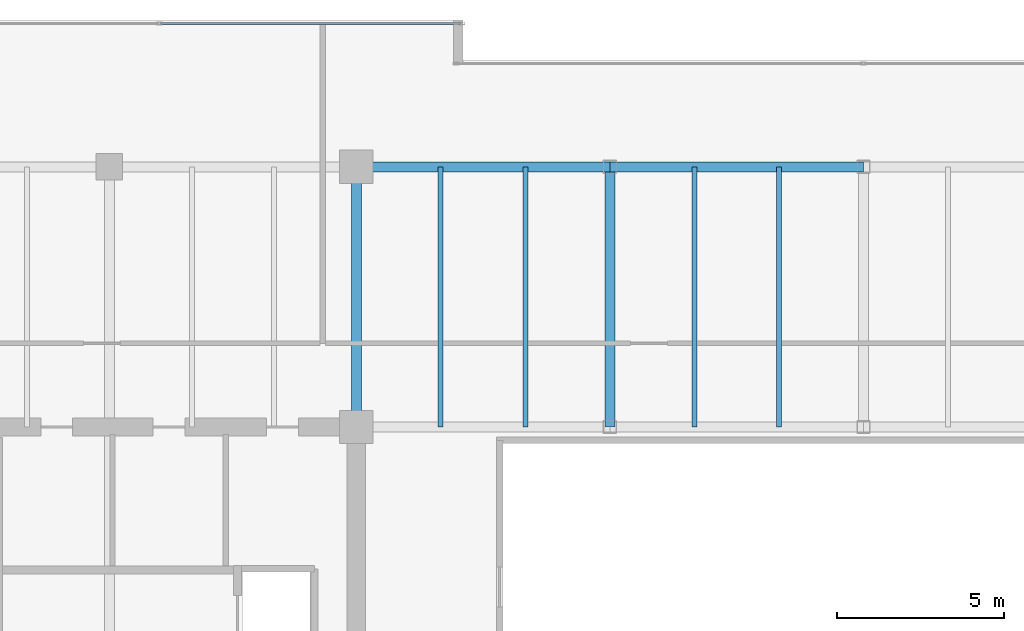
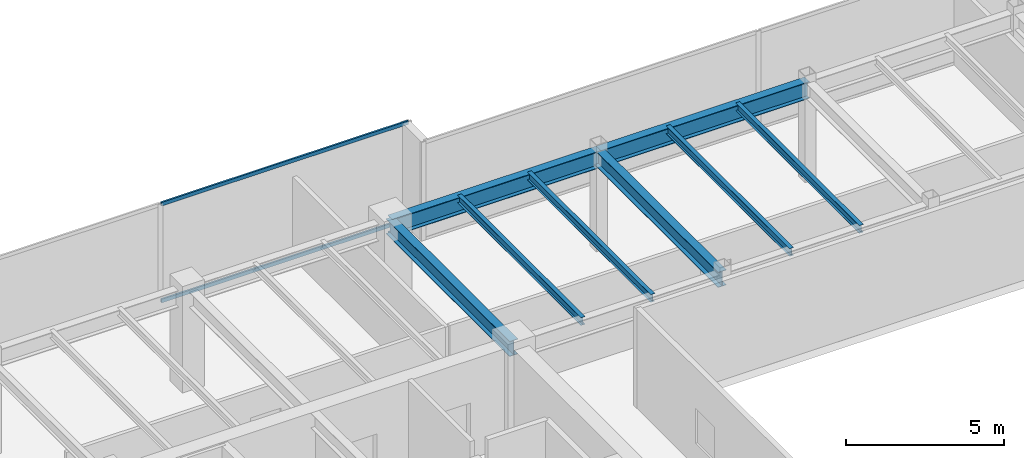
# One storey, part 16 of 33: 8 beams, 2 members, 1 element without a shape of its own.
"""IFC4 building model written with IfcOpenShell, lengths in metres."""

from ifc_helpers import new_model, si_unit, direction, frame, origin, origin_2d, place, context, subcontext, project, spatial, hollow_rectangle, i_section, extrude, source, transform, mapped, material, layer, layer_set, material_profile, profile_set, type_object, type_shapes, element, aggregate, save


model = new_model("IFC4")

# Units and contexts
model_context = context("Model", 3, precision=1e-05, world=origin(), true_north=direction((0.0, 1.0)))
body_context = subcontext(model_context, "Body", "Model", "MODEL_VIEW")
ifc_project = project(units=[si_unit("LENGTHUNIT", "METRE"), si_unit("AREAUNIT", "SQUARE_METRE"), si_unit("VOLUMEUNIT", "CUBIC_METRE"), si_unit("PLANEANGLEUNIT", "RADIAN"), si_unit("MASSUNIT", "GRAM", prefix="KILO")], contexts=[model_context])

# Site, building, storey
site_placement = place(None, origin())
site = spatial("IfcSite", under=ifc_project, at=site_placement, CompositionType="ELEMENT")
building_placement = place(site_placement, origin())
building = spatial("IfcBuilding", under=site, at=building_placement, Name="Haelvirn Gate Laboratories", CompositionType="ELEMENT")
storey_placement = place(building_placement, frame((0.0, 0.0, 238.300048828125)))
storey = spatial("IfcBuildingStorey", under=building, at=storey_placement, Name="L57", CompositionType="ELEMENT", Elevation=238.300048828125)

# Beams
ifc_material_1 = material(Name="Steel SM355", Category="steel")
ifc_material_profile_1 = material_profile(ifc_material_1, i_section(OverallWidth=0.14990234375, OverallDepth=0.300048828125, WebThickness=0.006591796875, FlangeThickness=0.009033203125, at=origin_2d()), Name="H-300x150x6.5x9")
ifc_profile_set_1 = profile_set([ifc_material_profile_1], Name="Steel SM355")
beam_type_1 = type_object("IfcBeamType", Name="BM-J-300", PredefinedType="JOIST", material=ifc_profile_set_1)
shared_shape_1 = source(origin(), body_context, "Body", "SweptSolid", [
    extrude(i_section(OverallWidth=0.14990234375, OverallDepth=0.300048828125, WebThickness=0.006591796875, FlangeThickness=0.009033203125, at=origin_2d()), origin(), (0.0, 0.0, 1.0), 7.800048828125),
])
type_shapes(beam_type_1, [shared_shape_1])
for number, where, z_axis, x_axis, name in (
    (1, (24.72998046875, 33.800048828125, 3.64990234375), (0.0, 1.0, 0.0), (-1.0, 0.0, 0.0), "L57 Composite Lab Joist North X24.73"),
    (2, (27.27001953125, 33.800048828125, 3.64990234375), (0.0, 1.0, 0.0), (-1.0, 0.0, 0.0), "L57 Composite Lab Joist North X27.27"),
    (3, (32.330078125, 33.800048828125, 3.64990234375), (0.0, 1.0, 0.0), (-1.0, 0.0, 0.0), "L57 Composite Lab Joist North X32.33"),
    (4, (34.8701171875, 33.800048828125, 3.64990234375), (0.0, 1.0, 0.0), (-1.0, 0.0, 0.0), "L57 Composite Lab Joist North X34.87"),
):
    element("IfcBeam", number, at=place(storey_placement, frame(where, z_axis=z_axis, x_axis=x_axis)), inside=storey, type_object=beam_type_1, Name=name, PredefinedType="JOIST", context=body_context, shape_type="MappedRepresentation", body=[
        mapped(shared_shape_1, transform((0.0, 0.0, 0.0), scale=1.0)),
    ])
ifc_material_profile_2 = material_profile(ifc_material_1, i_section(OverallWidth=0.300048828125, OverallDepth=0.587890625, WebThickness=0.011962890625, FlangeThickness=0.02001953125, at=origin_2d()), Name="H-588x300x12x20")
ifc_profile_set_2 = profile_set([ifc_material_profile_2], Name="Steel SM355")
beam_type_2 = type_object("IfcBeamType", Name="BM-G-588", PredefinedType="BEAM", material=ifc_profile_set_2)
shared_shape_2 = source(origin(), body_context, "Body", "SweptSolid", [
    extrude(i_section(OverallWidth=0.300048828125, OverallDepth=0.587890625, WebThickness=0.011962890625, FlangeThickness=0.02001953125, at=origin_2d()), origin(), (0.0, 0.0, 1.0), 7.800048828125),
])
type_shapes(beam_type_2, [shared_shape_2])
for number, where, z_axis, x_axis, name in (
    (5, (22.199951171875, 33.800048828125, 3.505859375), (0.0, 1.0, 0.0), (-1.0, 0.0, 0.0), "L57 Frame Girder X22.2 (33.8-41.6)"),
    (6, (29.800048828125, 33.800048828125, 3.505859375), (0.0, 1.0, 0.0), (-1.0, 0.0, 0.0), "L57 Frame Girder X29.8 (33.8-41.6)"),
):
    element("IfcBeam", number, at=place(storey_placement, frame(where, z_axis=z_axis, x_axis=x_axis)), inside=storey, type_object=beam_type_2, Name=name, PredefinedType="BEAM", context=body_context, shape_type="MappedRepresentation", body=[
        mapped(shared_shape_2, transform((0.0, 0.0, 0.0), scale=1.0)),
    ])
ifc_material_profile_3 = material_profile(ifc_material_1, i_section(OverallWidth=0.300048828125, OverallDepth=0.64990234375, WebThickness=0.012939453125, FlangeThickness=0.02197265625, at=origin_2d()), Name="H-650x300x13x22")
ifc_profile_set_3 = profile_set([ifc_material_profile_3], Name="Steel SM355")
beam_type_3 = type_object("IfcBeamType", Name="BM-G-650", PredefinedType="BEAM", material=ifc_profile_set_3)
shared_shape_3 = source(origin(), body_context, "Body", "SweptSolid", [
    extrude(i_section(OverallWidth=0.300048828125, OverallDepth=0.64990234375, WebThickness=0.012939453125, FlangeThickness=0.02197265625, at=origin_2d()), origin(), (0.0, 0.0, 1.0), 7.60009765625),
])
beam_1_placement = place(storey_placement, frame((22.199951171875, 41.60009765625, 3.474853515625), z_axis=(1.0, 0.0, 0.0), x_axis=(0.0, 1.0, 0.0)))
element("IfcBeam", 7, at=beam_1_placement, inside=storey, type_object=beam_type_3, Name="L57 Primary Girder Y41.6 (22.2-29.8)", PredefinedType="BEAM", context=body_context, shape_type="MappedRepresentation", body=[
    mapped(shared_shape_3, transform((0.0, 0.0, 0.0), scale=1.0)),
])
shared_shape_4 = source(origin(), body_context, "Body", "SweptSolid", [
    extrude(i_section(OverallWidth=0.300048828125, OverallDepth=0.64990234375, WebThickness=0.012939453125, FlangeThickness=0.02197265625, at=origin_2d()), origin(), (0.0, 0.0, 1.0), 7.599853515625),
])
type_shapes(beam_type_3, [shared_shape_3, shared_shape_4])
beam_2_placement = place(storey_placement, frame((29.800048828125, 41.60009765625, 3.474853515625), z_axis=(1.0, 0.0, 0.0), x_axis=(0.0, 1.0, 0.0)))
element("IfcBeam", 8, at=beam_2_placement, inside=storey, type_object=beam_type_3, Name="L57 Primary Girder Y41.6 (29.8-37.4)", PredefinedType="BEAM", context=body_context, shape_type="MappedRepresentation", body=[
    mapped(shared_shape_4, transform((0.0, 0.0, 0.0), scale=1.0)),
])

# Curtain wall, members
ifc_material_2 = material(Name="Anodised bronze unitised aluminium & triple low-E glass", Category="aluminium")
ifc_layer = layer(ifc_material_2, 0.176025390625, Name="CW-SYS-4")
ifc_layer_set = layer_set([ifc_layer], Name="Anodised bronze unitised aluminium & triple low-E glass")
curtain_wall_type = type_object("IfcCurtainWallType", Name="CW-SYS-4", PredefinedType="NOTDEFINED", material=ifc_layer_set)
curtain_wall_placement = place(storey_placement, origin())
curtain_wall = element("IfcCurtainWall", 9, at=curtain_wall_placement, inside=storey, type_object=curtain_wall_type, Name="L57 Unitised Curtain Wall CW-L57-P0-E14-1", PredefinedType="NOTDEFINED")
ifc_material_3 = material(Name="Extruded aluminium 6063-T6 (anodised bronze)", Category="aluminium")
ifc_material_profile_4 = material_profile(ifc_material_3, hollow_rectangle(XDim=0.06494140625, YDim=0.139892578125, WallThickness=0.00390625, at=origin_2d()), Name="CWT-140x65x4")
ifc_profile_set_4 = profile_set([ifc_material_profile_4], Name="Extruded aluminium 6063-T6 (anodised bronze)")
member_type = type_object("IfcMemberType", Name="CWT-T140", PredefinedType="USERDEFINED", material=ifc_profile_set_4)
shared_shape_5 = source(origin(), body_context, "Body", "SweptSolid", [
    extrude(hollow_rectangle(XDim=0.06494140625, YDim=0.139892578125, WallThickness=0.00390625, at=origin_2d()), origin(), (0.0, 0.0, 1.0), 8.9951171875),
])
type_shapes(member_type, [shared_shape_5])
member_1_placement = place(storey_placement, frame((16.3349609375, 45.89990234375, 0.032470703125), z_axis=(1.0, 0.0, 0.0), x_axis=(0.0, 1.0, 0.0)))
member_1 = element("IfcMember", 10, at=member_1_placement, type_object=member_type, Name="CW4 transom 2.1", ObjectType="TRANSOM", PredefinedType="USERDEFINED", context=body_context, shape_type="MappedRepresentation", body=[
    mapped(shared_shape_5, transform((0.0, 0.0, 0.0), scale=1.0)),
])
member_2_placement = place(storey_placement, frame((16.3349609375, 45.89990234375, 3.767333984375), z_axis=(1.0, 0.0, 0.0), x_axis=(0.0, 1.0, 0.0)))
member_2 = element("IfcMember", 11, at=member_2_placement, type_object=member_type, Name="CW4 transom 2.2", ObjectType="TRANSOM", PredefinedType="USERDEFINED", context=body_context, shape_type="MappedRepresentation", body=[
    mapped(shared_shape_5, transform((0.0, 0.0, 0.0), scale=1.0)),
])
aggregate(curtain_wall, [member_1, member_2])

save(model, "model.ifc")
